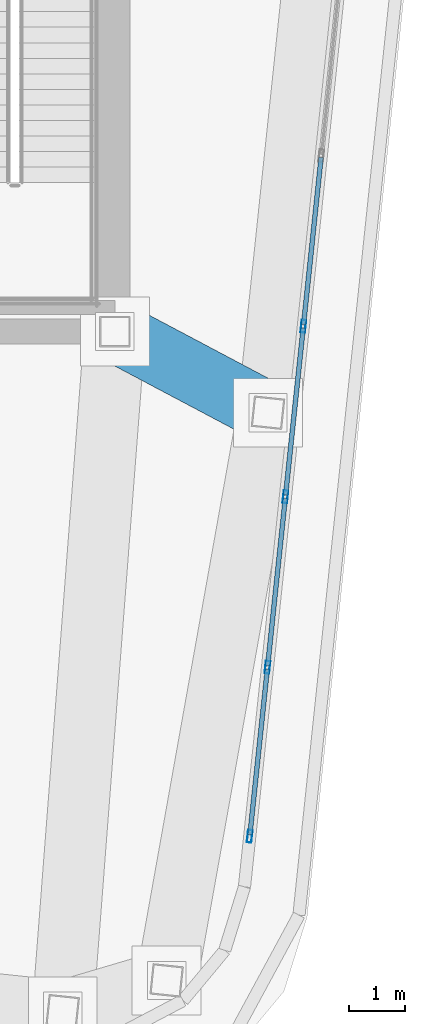
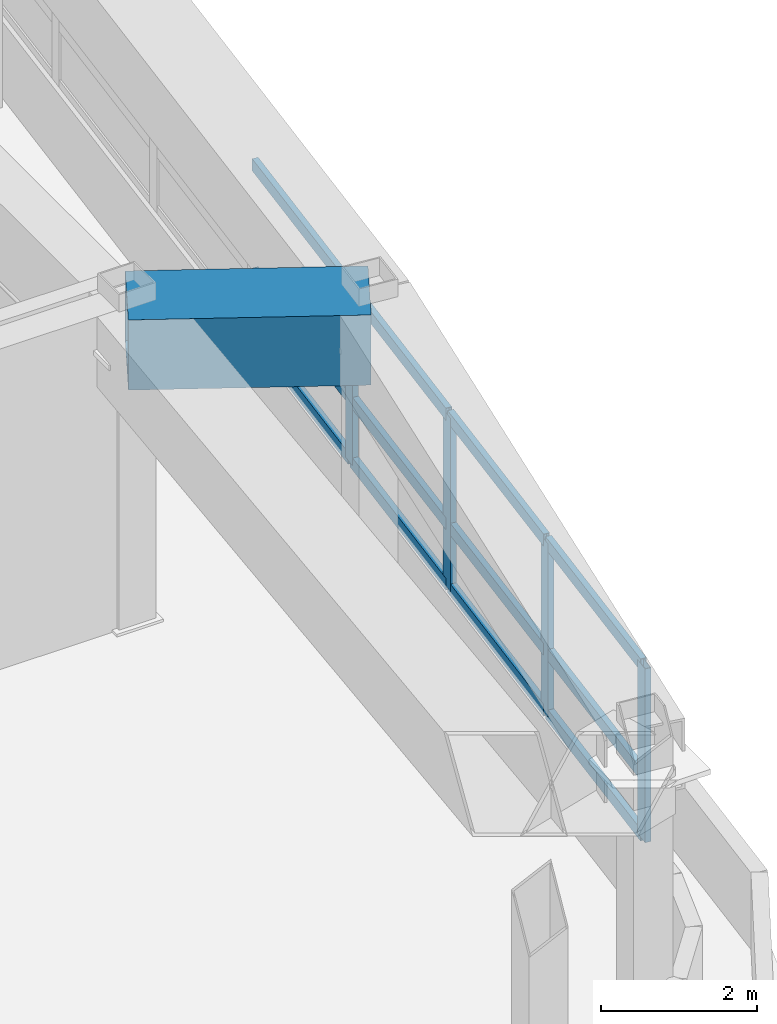
# One storey, part 9 of 22: 16 members, 1 beam, 1 element without a shape of its own.
"""IFC4 building model written with IfcOpenShell, lengths in metres."""

from ifc_helpers import new_model, si_unit, direction, frame, origin, origin_2d, place, context, subcontext, project, spatial, hollow_rectangle, extrude, material, layer, layer_set, material_profile, profile_set, type_object, element, aggregate, save


model = new_model("IFC4")

# Units and contexts
model_context = context("Model", 3, precision=1e-05, world=origin(), true_north=direction((0.0, 1.0)))
body_context = subcontext(model_context, "Body", "Model", "MODEL_VIEW")
ifc_project = project(units=[si_unit("LENGTHUNIT", "METRE"), si_unit("AREAUNIT", "SQUARE_METRE"), si_unit("VOLUMEUNIT", "CUBIC_METRE"), si_unit("PLANEANGLEUNIT", "RADIAN"), si_unit("MASSUNIT", "GRAM", prefix="KILO")], contexts=[model_context])

# Site, building, storey
site_placement = place(None, origin())
site = spatial("IfcSite", under=ifc_project, at=site_placement, CompositionType="ELEMENT")
building_placement = place(site_placement, origin())
building = spatial("IfcBuilding", under=site, at=building_placement, Name="Voryun Gate Residences", CompositionType="ELEMENT")
storey_placement = place(building_placement, frame((0.0, 0.0, 310.699951171875)))
storey = spatial("IfcBuildingStorey", under=building, at=storey_placement, Name="L77", CompositionType="ELEMENT", Elevation=310.699951171875)

# Beam
ifc_material_1 = material(Name="Steel SM420", Category="steel")
ifc_material_profile_1 = material_profile(ifc_material_1, hollow_rectangle(XDim=1.10009765625, YDim=1.10009765625, WallThickness=0.035888671875, at=origin_2d()), Name="BOX-1100x1100x36")
ifc_profile_set_1 = profile_set([ifc_material_profile_1], Name="Steel SM420")
beam_type = type_object("IfcBeamType", Name="BM_ARCH_RIB", PredefinedType="USERDEFINED", material=ifc_profile_set_1)
beam_placement = place(storey_placement, frame((19.199951171875, -7.39990234375, 4.47509765625), z_axis=(0.883603317059, -0.468236241745, 0.0), x_axis=(0.468236241745, 0.883603317059, 0.0)))
element("IfcBeam", 1, at=beam_placement, inside=storey, type_object=beam_type, Name="BM-L77-RAD-E1", ObjectType="GIRDER", PredefinedType="USERDEFINED", context=body_context, shape_type="SweptSolid", body=[
    extrude(hollow_rectangle(XDim=1.10009765625, YDim=1.10009765625, WallThickness=0.035888671875, at=origin_2d()), origin(), (0.0, 0.0, 1.0), 3.12158203125),
])

# Curtain wall, members
ifc_material_2 = material(Name="Anodised aluminium", Category="aluminium")
ifc_layer = layer(ifc_material_2, 0.22998046875, Name="CW_SYS_LANTERN_DARK_GLASS")
ifc_layer_set = layer_set([ifc_layer], Name="Anodised aluminium")
curtain_wall_type = type_object("IfcCurtainWallType", Name="CW_SYS_LANTERN_DARK_GLASS", PredefinedType="NOTDEFINED", material=ifc_layer_set)
curtain_wall_placement = place(storey_placement, origin())
curtain_wall = element("IfcCurtainWall", 2, at=curtain_wall_placement, inside=storey, type_object=curtain_wall_type, Name="Curtain wall CW6-L77-16", PredefinedType="NOTDEFINED")
ifc_material_3 = material(Name="Anodised aluminium", Category="aluminium")
ifc_material_profile_2 = material_profile(ifc_material_3, hollow_rectangle(XDim=0.0849609375, YDim=0.22998046875, WallThickness=0.006103515625, at=origin_2d()), Name="ALU-MULL-230x85x6")
ifc_profile_set_2 = profile_set([ifc_material_profile_2], Name="Anodised aluminium")
member_type_1 = type_object("IfcMemberType", Name="CW_MULL_LANT", PredefinedType="MULLION", material=ifc_profile_set_2)
member_1_placement = place(storey_placement, frame((22.594482421875, -7.305419921875, 1.18994140625), z_axis=(0.0, 0.0, 1.0), x_axis=(0.994521943608, -0.104528004296, 0.0)))
member_1 = element("IfcMember", 3, at=member_1_placement, type_object=member_type_1, Name="CW6 mullion 7", PredefinedType="MULLION", context=body_context, shape_type="SweptSolid", body=[
    extrude(hollow_rectangle(XDim=0.0849609375, YDim=0.22998046875, WallThickness=0.006103515625, at=origin_2d()), origin(), (0.0, 0.0, 1.0), 2.72509765625),
])
member_2_placement = place(storey_placement, frame((22.271728515625, -10.376220703125, 1.18994140625), z_axis=(0.0, 0.0, 1.0), x_axis=(0.994521943608, -0.104528004296, 0.0)))
member_2 = element("IfcMember", 4, at=member_2_placement, type_object=member_type_1, Name="CW6 mullion 8", PredefinedType="MULLION", context=body_context, shape_type="SweptSolid", body=[
    extrude(hollow_rectangle(XDim=0.0849609375, YDim=0.22998046875, WallThickness=0.006103515625, at=origin_2d()), origin(), (0.0, 0.0, 1.0), 2.72509765625),
])
member_3_placement = place(storey_placement, frame((21.948974609375, -13.447265625, 1.18994140625), z_axis=(0.0, 0.0, 1.0), x_axis=(0.994521943608, -0.104528004296, 0.0)))
member_3 = element("IfcMember", 5, at=member_3_placement, type_object=member_type_1, Name="CW6 mullion 9", PredefinedType="MULLION", context=body_context, shape_type="SweptSolid", body=[
    extrude(hollow_rectangle(XDim=0.0849609375, YDim=0.22998046875, WallThickness=0.006103515625, at=origin_2d()), origin(), (0.0, 0.0, 1.0), 2.72509765625),
])
member_4_placement = place(storey_placement, frame((21.629150390625, -16.48828125, 1.18994140625), z_axis=(0.0, 0.0, 1.0), x_axis=(0.994521943608, -0.104528004296, 0.0)))
member_4 = element("IfcMember", 6, at=member_4_placement, type_object=member_type_1, Name="CW6 mullion 10", PredefinedType="MULLION", context=body_context, shape_type="SweptSolid", body=[
    extrude(hollow_rectangle(XDim=0.0849609375, YDim=0.22998046875, WallThickness=0.006103515625, at=origin_2d()), origin(), (0.0, 0.0, 1.0), 2.72509765625),
])
ifc_material_4 = material(Name="Anodised aluminium", Category="aluminium")
ifc_material_profile_3 = material_profile(ifc_material_4, hollow_rectangle(XDim=0.0849609375, YDim=0.18994140625, WallThickness=0.006103515625, at=origin_2d()), Name="ALU-TRAN-190x85x6")
ifc_profile_set_3 = profile_set([ifc_material_profile_3], Name="Anodised aluminium")
member_type_2 = type_object("IfcMemberType", Name="CW_TRAN_LANT", PredefinedType="USERDEFINED", material=ifc_profile_set_3)
member_5_placement = place(storey_placement, frame((22.9140625, -4.26416015625, 1.219970703125), z_axis=(-0.104500100479, -0.994524876009, 0.0), x_axis=(0.994524876009, -0.104500100479, 0.0)))
member_5 = element("IfcMember", 7, at=member_5_placement, type_object=member_type_2, Name="CW6 transom 6.1", ObjectType="TRANSOM", PredefinedType="USERDEFINED", context=body_context, shape_type="SweptSolid", body=[
    extrude(hollow_rectangle(XDim=0.0849609375, YDim=0.18994140625, WallThickness=0.006103515625, at=origin_2d()), origin(), (0.0, 0.0, 1.0), 3.02783203125),
])
member_6_placement = place(storey_placement, frame((22.9140625, -4.26416015625, 2.171142578125), z_axis=(-0.104500100479, -0.994524876009, 0.0), x_axis=(0.994524876009, -0.104500100479, 0.0)))
member_6 = element("IfcMember", 8, at=member_6_placement, type_object=member_type_2, Name="CW6 transom 6.2", ObjectType="TRANSOM", PredefinedType="USERDEFINED", context=body_context, shape_type="SweptSolid", body=[
    extrude(hollow_rectangle(XDim=0.0849609375, YDim=0.18994140625, WallThickness=0.006103515625, at=origin_2d()), origin(), (0.0, 0.0, 1.0), 3.02783203125),
])
member_7_placement = place(storey_placement, frame((22.9140625, -4.26416015625, 3.885009765625), z_axis=(-0.104500100479, -0.994524876009, 0.0), x_axis=(0.994524876009, -0.104500100479, 0.0)))
member_7 = element("IfcMember", 9, at=member_7_placement, type_object=member_type_2, Name="CW6 transom 6.3", ObjectType="TRANSOM", PredefinedType="USERDEFINED", context=body_context, shape_type="SweptSolid", body=[
    extrude(hollow_rectangle(XDim=0.0849609375, YDim=0.18994140625, WallThickness=0.006103515625, at=origin_2d()), origin(), (0.0, 0.0, 1.0), 3.02783203125),
])
member_8_placement = place(storey_placement, frame((22.59130859375, -7.335205078125, 1.219970703125), z_axis=(-0.104579851732, -0.994516492881, 0.0), x_axis=(0.994516492881, -0.104579851732, 0.0)))
member_8 = element("IfcMember", 10, at=member_8_placement, type_object=member_type_2, Name="CW6 transom 7.1", ObjectType="TRANSOM", PredefinedType="USERDEFINED", context=body_context, shape_type="SweptSolid", body=[
    extrude(hollow_rectangle(XDim=0.0849609375, YDim=0.18994140625, WallThickness=0.006103515625, at=origin_2d()), origin(), (0.0, 0.0, 1.0), 3.02783203125),
])
member_9_placement = place(storey_placement, frame((22.59130859375, -7.335205078125, 2.171142578125), z_axis=(-0.104579851732, -0.994516492881, 0.0), x_axis=(0.994516492881, -0.104579851732, 0.0)))
member_9 = element("IfcMember", 11, at=member_9_placement, type_object=member_type_2, Name="CW6 transom 7.2", ObjectType="TRANSOM", PredefinedType="USERDEFINED", context=body_context, shape_type="SweptSolid", body=[
    extrude(hollow_rectangle(XDim=0.0849609375, YDim=0.18994140625, WallThickness=0.006103515625, at=origin_2d()), origin(), (0.0, 0.0, 1.0), 3.02783203125),
])
member_10_placement = place(storey_placement, frame((22.59130859375, -7.335205078125, 3.885009765625), z_axis=(-0.104579851732, -0.994516492881, 0.0), x_axis=(0.994516492881, -0.104579851732, 0.0)))
member_10 = element("IfcMember", 12, at=member_10_placement, type_object=member_type_2, Name="CW6 transom 7.3", ObjectType="TRANSOM", PredefinedType="USERDEFINED", context=body_context, shape_type="SweptSolid", body=[
    extrude(hollow_rectangle(XDim=0.0849609375, YDim=0.18994140625, WallThickness=0.006103515625, at=origin_2d()), origin(), (0.0, 0.0, 1.0), 3.02783203125),
])
member_11_placement = place(storey_placement, frame((22.2685546875, -10.406005859375, 1.219970703125), z_axis=(-0.104579851732, -0.994516492881, 0.0), x_axis=(0.994516492881, -0.104579851732, 0.0)))
member_11 = element("IfcMember", 13, at=member_11_placement, type_object=member_type_2, Name="CW6 transom 8.1", ObjectType="TRANSOM", PredefinedType="USERDEFINED", context=body_context, shape_type="SweptSolid", body=[
    extrude(hollow_rectangle(XDim=0.0849609375, YDim=0.18994140625, WallThickness=0.006103515625, at=origin_2d()), origin(), (0.0, 0.0, 1.0), 3.02783203125),
])
member_12_placement = place(storey_placement, frame((22.2685546875, -10.406005859375, 2.171142578125), z_axis=(-0.104579851732, -0.994516492881, 0.0), x_axis=(0.994516492881, -0.104579851732, 0.0)))
member_12 = element("IfcMember", 14, at=member_12_placement, type_object=member_type_2, Name="CW6 transom 8.2", ObjectType="TRANSOM", PredefinedType="USERDEFINED", context=body_context, shape_type="SweptSolid", body=[
    extrude(hollow_rectangle(XDim=0.0849609375, YDim=0.18994140625, WallThickness=0.006103515625, at=origin_2d()), origin(), (0.0, 0.0, 1.0), 3.02783203125),
])
member_13_placement = place(storey_placement, frame((22.2685546875, -10.406005859375, 3.885009765625), z_axis=(-0.104579851732, -0.994516492881, 0.0), x_axis=(0.994516492881, -0.104579851732, 0.0)))
member_13 = element("IfcMember", 15, at=member_13_placement, type_object=member_type_2, Name="CW6 transom 8.3", ObjectType="TRANSOM", PredefinedType="USERDEFINED", context=body_context, shape_type="SweptSolid", body=[
    extrude(hollow_rectangle(XDim=0.0849609375, YDim=0.18994140625, WallThickness=0.006103515625, at=origin_2d()), origin(), (0.0, 0.0, 1.0), 3.02783203125),
])
member_14_placement = place(storey_placement, frame((21.94580078125, -13.47705078125, 1.219970703125), z_axis=(-0.104566085446, -0.994517940398, 0.0), x_axis=(0.994517940398, -0.104566085446, 0.0)))
member_14 = element("IfcMember", 16, at=member_14_placement, type_object=member_type_2, Name="CW6 transom 9.1", ObjectType="TRANSOM", PredefinedType="USERDEFINED", context=body_context, shape_type="SweptSolid", body=[
    extrude(hollow_rectangle(XDim=0.0849609375, YDim=0.18994140625, WallThickness=0.006103515625, at=origin_2d()), origin(), (0.0, 0.0, 1.0), 2.997802734375),
])
member_15_placement = place(storey_placement, frame((21.94580078125, -13.47705078125, 2.171142578125), z_axis=(-0.104566085446, -0.994517940398, 0.0), x_axis=(0.994517940398, -0.104566085446, 0.0)))
member_15 = element("IfcMember", 17, at=member_15_placement, type_object=member_type_2, Name="CW6 transom 9.2", ObjectType="TRANSOM", PredefinedType="USERDEFINED", context=body_context, shape_type="SweptSolid", body=[
    extrude(hollow_rectangle(XDim=0.0849609375, YDim=0.18994140625, WallThickness=0.006103515625, at=origin_2d()), origin(), (0.0, 0.0, 1.0), 2.997802734375),
])
member_16_placement = place(storey_placement, frame((21.94580078125, -13.47705078125, 3.885009765625), z_axis=(-0.104566085446, -0.994517940398, 0.0), x_axis=(0.994517940398, -0.104566085446, 0.0)))
member_16 = element("IfcMember", 18, at=member_16_placement, type_object=member_type_2, Name="CW6 transom 9.3", ObjectType="TRANSOM", PredefinedType="USERDEFINED", context=body_context, shape_type="SweptSolid", body=[
    extrude(hollow_rectangle(XDim=0.0849609375, YDim=0.18994140625, WallThickness=0.006103515625, at=origin_2d()), origin(), (0.0, 0.0, 1.0), 2.997802734375),
])
aggregate(curtain_wall, [member_1, member_2, member_3, member_4, member_5, member_6, member_7, member_8, member_9, member_10, member_11, member_12, member_13, member_14, member_15, member_16])

save(model, "model.ifc")
